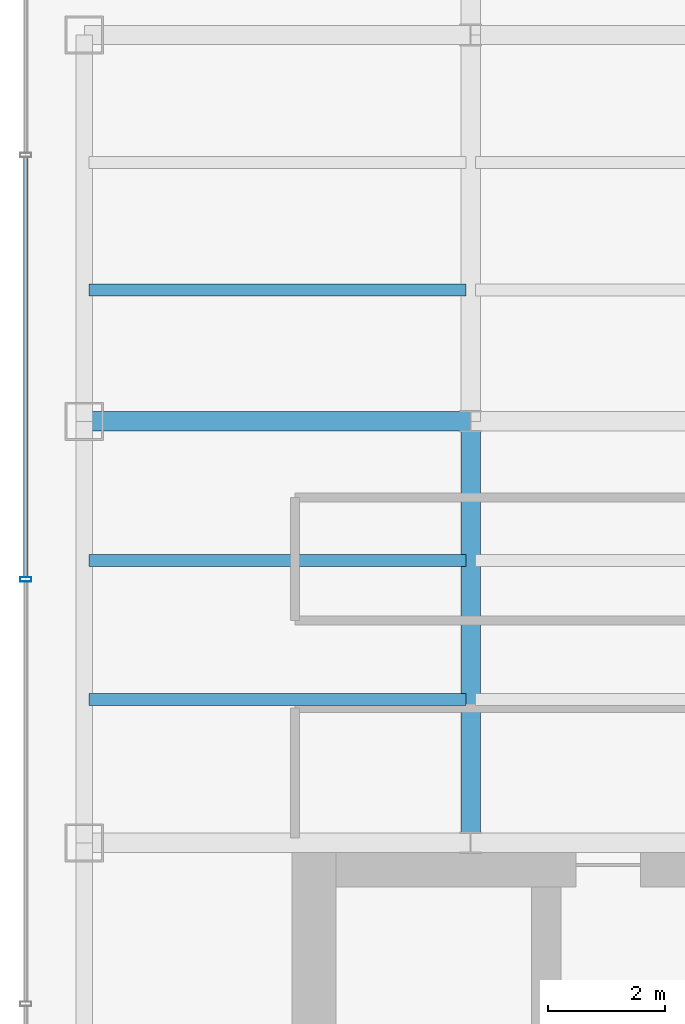
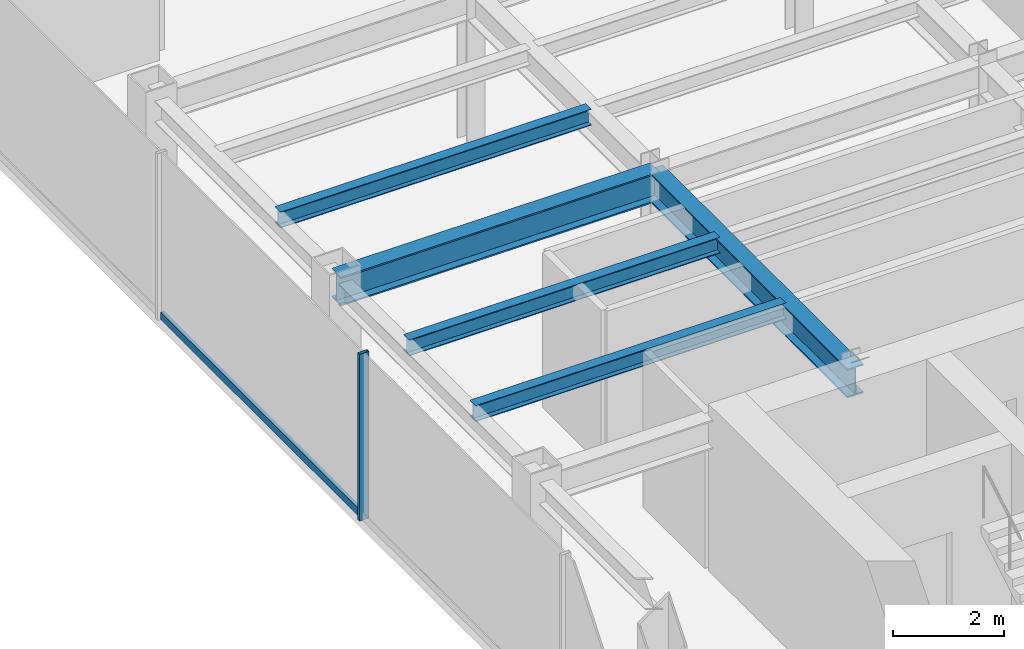
# One storey, part 5 of 25: 5 beams, 2 members, 1 element without a shape of its own.
"""IFC4 building model written with IfcOpenShell, lengths in metres."""

from ifc_helpers import new_model, si_unit, derived_unit, direction, frame, origin, origin_2d, place, context, subcontext, project, spatial, hollow_rectangle, i_section, extrude, source, transform, mapped, material, material_profile, profile_set, type_object, element, aggregate, save


model = new_model("IFC4")

# Units and contexts
model_context = context("Model", 3, precision=1e-05, world=origin(), true_north=direction((0.0, 1.0)))
body_context = subcontext(model_context, "Body", "Model", "MODEL_VIEW")
ifc_project = project(units=[si_unit("LENGTHUNIT", "METRE"), si_unit("AREAUNIT", "SQUARE_METRE"), si_unit("VOLUMEUNIT", "CUBIC_METRE"), si_unit("PLANEANGLEUNIT", "RADIAN"), si_unit("MASSUNIT", "GRAM", prefix="KILO"), derived_unit("THERMALTRANSMITTANCEUNIT", [(si_unit("POWERUNIT", "WATT"), 1), (si_unit("LENGTHUNIT", "METRE"), -2), (si_unit("THERMODYNAMICTEMPERATUREUNIT", "KELVIN"), -1)])], contexts=[model_context])

# Site, building, storey
site_placement = place(None, origin())
site = spatial("IfcSite", under=ifc_project, at=site_placement, CompositionType="ELEMENT")
building_placement = place(site_placement, origin())
building = spatial("IfcBuilding", under=site, at=building_placement, Name="Skarnbrae Concourse Arena and Tower", CompositionType="ELEMENT")
storey_placement = place(building_placement, frame((0.0, 0.0, 147.89990234375)))
storey = spatial("IfcBuildingStorey", under=building, at=storey_placement, Name="L37", CompositionType="ELEMENT", Elevation=147.89990234375)

# Beams
ifc_material_1 = material(Name="Steel CSA G40.21 350W", Category="steel")
ifc_material_profile_1 = material_profile(ifc_material_1, i_section(OverallWidth=0.3291015625, OverallDepth=0.635009765625, WebThickness=0.017822265625, FlangeThickness=0.031005859375, at=origin_2d()), Name="W610X241")
ifc_profile_set_1 = profile_set([ifc_material_profile_1], Name="Steel CSA G40.21 350W")
beam_type_1 = type_object("IfcBeamType", Name="BM-GIRD-W610X241", PredefinedType="BEAM", material=ifc_profile_set_1)
shared_shape_1 = source(origin(), body_context, "Body", "SweptSolid", [
    extrude(i_section(OverallWidth=0.3291015625, OverallDepth=0.635009765625, WebThickness=0.017822265625, FlangeThickness=0.031005859375, at=origin_2d()), origin(), (0.0, 0.0, 1.0), 6.60009765625),
])
beam_1_placement = place(storey_placement, frame((1.0, 21.199951171875, 3.08251953125), z_axis=(1.0, 0.0, 0.0), x_axis=(0.0, 1.0, 0.0)))
element("IfcBeam", 1, at=beam_1_placement, inside=storey, type_object=beam_type_1, Name="L37 Primary E-W girder Y21.2-1", PredefinedType="BEAM", context=body_context, shape_type="MappedRepresentation", body=[
    mapped(shared_shape_1, transform((0.0, 0.0, 0.0))),
])
shared_shape_2 = source(origin(), body_context, "Body", "SweptSolid", [
    extrude(i_section(OverallWidth=0.3291015625, OverallDepth=0.635009765625, WebThickness=0.017822265625, FlangeThickness=0.031005859375, at=origin_2d()), origin(), (0.0, 0.0, 1.0), 7.199951171875),
])
beam_2_placement = place(storey_placement, frame((7.60009765625, 14.0, 3.08251953125), z_axis=(0.0, 1.0, 0.0), x_axis=(-1.0, 0.0, 0.0)))
element("IfcBeam", 2, at=beam_2_placement, inside=storey, type_object=beam_type_1, Name="L37 Primary N-S girder X7.6-1", PredefinedType="BEAM", context=body_context, shape_type="MappedRepresentation", body=[
    mapped(shared_shape_2, transform((0.0, 0.0, 0.0))),
])
ifc_material_profile_2 = material_profile(ifc_material_1, i_section(OverallWidth=0.205078125, OverallDepth=0.35400390625, WebThickness=0.009521484375, FlangeThickness=0.016845703125, at=origin_2d()), Name="W360X79")
ifc_profile_set_2 = profile_set([ifc_material_profile_2], Name="Steel CSA G40.21 350W")
beam_type_2 = type_object("IfcBeamType", Name="BM-JOIST-W360X79", PredefinedType="JOIST", material=ifc_profile_set_2)
shared_shape_3 = source(origin(), body_context, "Body", "SweptSolid", [
    extrude(i_section(OverallWidth=0.205078125, OverallDepth=0.35400390625, WebThickness=0.009521484375, FlangeThickness=0.016845703125, at=origin_2d()), origin(), (0.0, 0.0, 1.0), 6.43994140625),
])
for number, where, z_axis, x_axis, name in (
    (3, (1.080078125, 16.447998046875, 3.22314453125), (1.0, 0.0, 0.0), (0.0, 1.0, 0.0), "L37 Secondary floor joist 1.1.1"),
    (4, (1.080078125, 18.823974609375, 3.22314453125), (1.0, 0.0, 0.0), (0.0, 1.0, 0.0), "L37 Secondary floor joist 1.2.1"),
    (5, (1.080078125, 23.444091796875, 3.22314453125), (1.0, 0.0, 0.0), (0.0, 1.0, 0.0), "L37 Secondary floor joist 2.1.1"),
):
    element("IfcBeam", number, at=place(storey_placement, frame(where, z_axis=z_axis, x_axis=x_axis)), inside=storey, type_object=beam_type_2, Name=name, PredefinedType="JOIST", context=body_context, shape_type="MappedRepresentation", body=[
        mapped(shared_shape_3, transform((0.0, 0.0, 0.0))),
    ])

# Curtain wall, members
ifc_material_2 = material(Name="Bronze anodised aluminium 6063-T6", Category="aluminium")
curtain_wall_type = type_object("IfcCurtainWallType", Name="CW-SYS-04-MIDZONE", PredefinedType="USERDEFINED", material=ifc_material_2)
curtain_wall_placement = place(storey_placement, origin())
curtain_wall = element("IfcCurtainWall", 6, at=curtain_wall_placement, inside=storey, type_object=curtain_wall_type, Name="L37 Unitised curtain wall CW-L37-E18", ObjectType="UNITISED CURTAIN WALL", PredefinedType="USERDEFINED")
ifc_material_profile_3 = material_profile(ifc_material_2, hollow_rectangle(XDim=0.074951171875, YDim=0.195068359375, WallThickness=0.00439453125, at=origin_2d()), Name="ALU-MULL-75X195")
ifc_profile_set_3 = profile_set([ifc_material_profile_3], Name="Bronze anodised aluminium 6063-T6")
member_type_1 = type_object("IfcMemberType", Name="CWM-CW-04", PredefinedType="MULLION", material=ifc_profile_set_3)
shared_shape_4 = source(origin(), body_context, "Body", "SweptSolid", [
    extrude(hollow_rectangle(XDim=0.074951171875, YDim=0.195068359375, WallThickness=0.00439453125, at=origin_2d()), origin(), (0.0, 0.0, 1.0), 3.650146484375),
])
member_1_placement = place(storey_placement, frame((0.0, 18.5, 0.0), z_axis=(0.0, 0.0, 1.0), x_axis=(0.0, -1.0, 0.0)))
member_1 = element("IfcMember", 7, at=member_1_placement, type_object=member_type_1, Name="CW-L37-E18 Mullion 3", PredefinedType="MULLION", context=body_context, shape_type="MappedRepresentation", body=[
    mapped(shared_shape_4, transform((0.0, 0.0, 0.0))),
])
ifc_material_profile_4 = material_profile(ifc_material_2, hollow_rectangle(XDim=0.074951171875, YDim=0.159912109375, WallThickness=0.00439453125, at=origin_2d()), Name="ALU-TRAN-75X160")
ifc_profile_set_4 = profile_set([ifc_material_profile_4], Name="Bronze anodised aluminium 6063-T6")
member_type_2 = type_object("IfcMemberType", Name="CWT-CW-04", PredefinedType="USERDEFINED", material=ifc_profile_set_4)
shared_shape_5 = source(origin(), body_context, "Body", "SweptSolid", [
    extrude(hollow_rectangle(XDim=0.074951171875, YDim=0.159912109375, WallThickness=0.00439453125, at=origin_2d()), origin(), (0.0, 0.0, 1.0), 7.1748046875),
])
member_2_placement = place(storey_placement, frame((0.0, 25.71240234375, 0.080078125), z_axis=(0.0, -1.0, 0.0), x_axis=(1.0, 0.0, 0.0)))
member_2 = element("IfcMember", 8, at=member_2_placement, type_object=member_type_2, Name="CW-L37-E18 Transom 2", ObjectType="TRANSOM", PredefinedType="USERDEFINED", context=body_context, shape_type="MappedRepresentation", body=[
    mapped(shared_shape_5, transform((0.0, 0.0, 0.0))),
])
aggregate(curtain_wall, [member_1, member_2])

save(model, "model.ifc")
